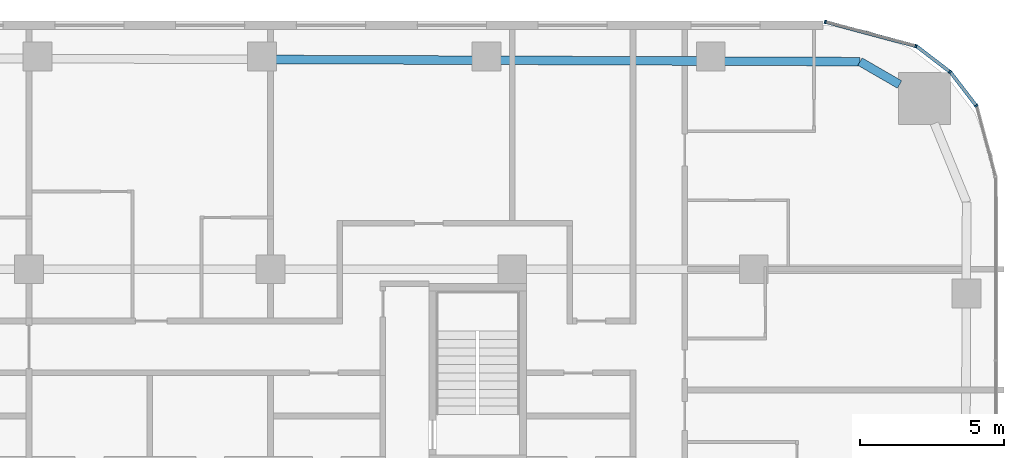
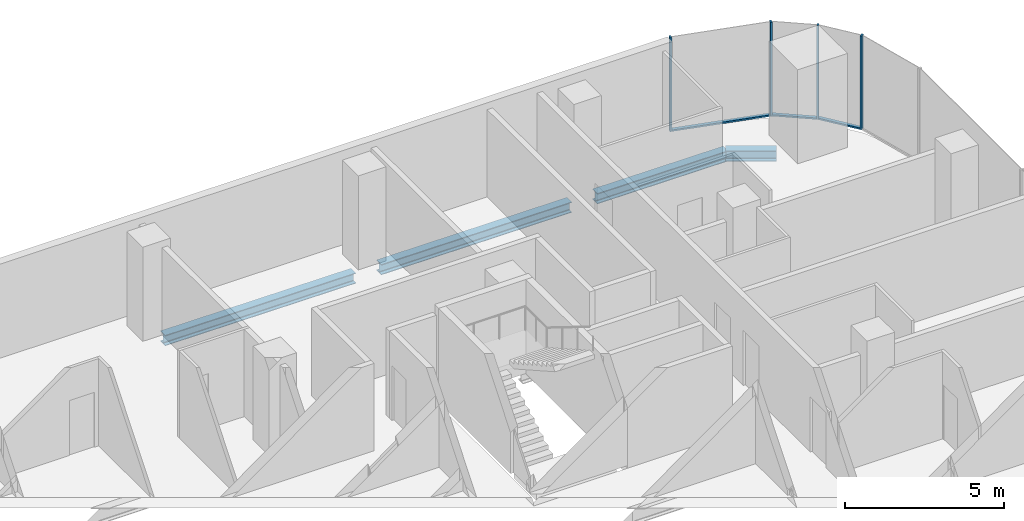
# One storey, part 13 of 26: 7 members, 4 beams, 3 elements without a shape of their own.
"""IFC4 building model written with IfcOpenShell, lengths in metres."""

from ifc_helpers import new_model, si_unit, direction, frame, origin, origin_2d, place, context, subcontext, project, spatial, rectangle, i_section, extrude, material, layer, layer_set, material_profile, profile_set, type_object, element, aggregate, save


model = new_model("IFC4")

# Units and contexts
model_context = context("Model", 3, precision=1e-05, world=origin(), true_north=direction((0.0, 1.0)))
body_context = subcontext(model_context, "Body", "Model", "MODEL_VIEW")
ifc_project = project(units=[si_unit("LENGTHUNIT", "METRE"), si_unit("AREAUNIT", "SQUARE_METRE"), si_unit("VOLUMEUNIT", "CUBIC_METRE"), si_unit("PLANEANGLEUNIT", "RADIAN"), si_unit("MASSUNIT", "GRAM", prefix="KILO")], contexts=[model_context])

# Site, building, storey
site_placement = place(None, origin())
site = spatial("IfcSite", under=ifc_project, at=site_placement, CompositionType="ELEMENT")
building_placement = place(site_placement, origin())
building = spatial("IfcBuilding", under=site, at=building_placement, Name="Marenta Gate Hotel Tower", CompositionType="ELEMENT")
storey_placement = place(building_placement, frame((0.0, 0.0, 65.300048828125)))
storey = spatial("IfcBuildingStorey", under=building, at=storey_placement, Name="L14", CompositionType="ELEMENT", Elevation=65.300048828125)

# Beams
ifc_material_1 = material(Name="Steel S355", Category="steel")
ifc_material_profile_1 = material_profile(ifc_material_1, i_section(OverallWidth=0.300048828125, OverallDepth=0.39990234375, WebThickness=0.013427734375, FlangeThickness=0.02392578125, FilletRadius=0.027099609375, at=origin_2d()), Name="HEB 400")
ifc_profile_set_1 = profile_set([ifc_material_profile_1], Name="Steel S355")
beam_type = type_object("IfcBeamType", Name="Edge beam HEB 400", PredefinedType="SPANDREL", material=ifc_profile_set_1)
for number, where, z_axis, x_axis, name in (
    (1, (4.361328125, 32.4970703125, -0.4599609375), (0.999993064268, -0.003724435008, 0.0), (0.003724435008, 0.999993064268, 0.0), "L14-EB-17"),
    (2, (12.1640625, 32.468017578125, -0.4599609375), (0.999993064268, -0.003724435008, 0.0), (0.003724435008, 0.999993064268, 0.0), "L14-EB-18"),
):
    element("IfcBeam", number, at=place(storey_placement, frame(where, z_axis=z_axis, x_axis=x_axis)), inside=storey, type_object=beam_type, Name=name, PredefinedType="SPANDREL", context=body_context, shape_type="SweptSolid", body=[
        extrude(i_section(OverallWidth=0.300048828125, OverallDepth=0.39990234375, WebThickness=0.013427734375, FlangeThickness=0.02392578125, FilletRadius=0.027099609375, at=origin_2d()), origin(), (0.0, 0.0, 1.0), 6.8828125),
    ])
beam_1_placement = place(storey_placement, frame((19.966796875, 32.43896484375, -0.4599609375), z_axis=(0.999993080272, -0.003720135464, 0.0), x_axis=(0.003720135464, 0.999993080272, 0.0)))
element("IfcBeam", 3, at=beam_1_placement, inside=storey, type_object=beam_type, Name="L14-EB-19", PredefinedType="SPANDREL", context=body_context, shape_type="SweptSolid", body=[
    extrude(i_section(OverallWidth=0.300048828125, OverallDepth=0.39990234375, WebThickness=0.013427734375, FlangeThickness=0.02392578125, FilletRadius=0.027099609375, at=origin_2d()), origin(), (0.0, 0.0, 1.0), 4.72509765625),
])
beam_2_placement = place(storey_placement, frame((24.69189453125, 32.42138671875, -0.4599609375), z_axis=(0.865968422476, -0.500098681536, 0.0), x_axis=(0.500098681536, 0.865968422476, 0.0)))
element("IfcBeam", 4, at=beam_2_placement, inside=storey, type_object=beam_type, Name="L14-EB-20", PredefinedType="SPANDREL", context=body_context, shape_type="SweptSolid", body=[
    extrude(i_section(OverallWidth=0.300048828125, OverallDepth=0.39990234375, WebThickness=0.013427734375, FlangeThickness=0.02392578125, FilletRadius=0.027099609375, at=origin_2d()), origin(), (0.0, 0.0, 1.0), 1.591552734375),
])

# Curtain wall, member
ifc_material_2 = material(Name="Tinted insulated glass in bronze anodised frame", Category="glass")
ifc_layer = layer(ifc_material_2, 0.1201171875)
ifc_layer_set = layer_set([ifc_layer], Name="Tinted insulated glass in bronze anodised frame")
curtain_wall_type = type_object("IfcCurtainWallType", Name="Tower unitised curtain wall CW1", PredefinedType="NOTDEFINED", material=ifc_layer_set)
curtain_wall_1_placement = place(storey_placement, origin())
curtain_wall_1 = element("IfcCurtainWall", 5, at=curtain_wall_1_placement, inside=storey, type_object=curtain_wall_type, Name="CW1 run G13", PredefinedType="NOTDEFINED")
ifc_material_3 = material(Name="Bronze anodised aluminium", Category="aluminium")
ifc_material_profile_2 = material_profile(ifc_material_3, rectangle(XDim=0.1201171875, YDim=0.06005859375, at=origin_2d()), Name="Mullion CW1 60x120 bronze anodised aluminium")
ifc_profile_set_2 = profile_set([ifc_material_profile_2], Name="Bronze anodised aluminium")
member_type_1 = type_object("IfcMemberType", Name="Mullion CW1 60x120 bronze anodised aluminium", PredefinedType="MULLION", material=ifc_profile_set_2)
member_1_placement = place(storey_placement, frame((28.733154296875, 30.888916015625, 0.0), z_axis=(0.0, 0.0, 1.0), x_axis=(-0.79333801153, -0.608781405318, 0.0)))
member_1 = element("IfcMember", 6, at=member_1_placement, type_object=member_type_1, Name="CW1 mullion 1", PredefinedType="MULLION", context=body_context, shape_type="SweptSolid", body=[
    extrude(rectangle(XDim=0.1201171875, YDim=0.06005859375, at=origin_2d()), origin(), (0.0, 0.0, 1.0), 3.599853515625),
])

curtain_wall_2_placement = place(storey_placement, origin())
curtain_wall_2 = element("IfcCurtainWall", 7, at=curtain_wall_2_placement, inside=storey, type_object=curtain_wall_type, Name="CW1 run G14", PredefinedType="NOTDEFINED")
member_2_placement = place(storey_placement, frame((27.82177734375, 32.063720703125, 0.0), z_axis=(0.0, 0.0, 1.0), x_axis=(-0.608781405318, -0.79333801153, 0.0)))
member_2 = element("IfcMember", 8, at=member_2_placement, type_object=member_type_1, Name="CW1 mullion 1", PredefinedType="MULLION", context=body_context, shape_type="SweptSolid", body=[
    extrude(rectangle(XDim=0.1201171875, YDim=0.06005859375, at=origin_2d()), origin(), (0.0, 0.0, 1.0), 3.599853515625),
])

# Curtain wall, members
curtain_wall_3_placement = place(storey_placement, origin())
curtain_wall_3 = element("IfcCurtainWall", 9, at=curtain_wall_3_placement, inside=storey, type_object=curtain_wall_type, Name="CW1 run G15", PredefinedType="NOTDEFINED")
member_3_placement = place(storey_placement, frame((26.63623046875, 32.958984375, 0.0), z_axis=(0.0, 0.0, 1.0), x_axis=(-0.258807310344, -0.965928970532, 0.0)))
member_3 = element("IfcMember", 10, at=member_3_placement, type_object=member_type_1, Name="CW1 mullion 1", PredefinedType="MULLION", context=body_context, shape_type="SweptSolid", body=[
    extrude(rectangle(XDim=0.1201171875, YDim=0.06005859375, at=origin_2d()), origin(), (0.0, 0.0, 1.0), 3.599853515625),
])
member_4_placement = place(storey_placement, frame((23.485595703125, 33.80322265625, 0.0), z_axis=(0.0, 0.0, 1.0), x_axis=(-0.258807310344, -0.965928970532, 0.0)))
member_4 = element("IfcMember", 11, at=member_4_placement, type_object=member_type_1, Name="CW1 mullion 2", PredefinedType="MULLION", context=body_context, shape_type="SweptSolid", body=[
    extrude(rectangle(XDim=0.1201171875, YDim=0.06005859375, at=origin_2d()), origin(), (0.0, 0.0, 1.0), 3.599853515625),
])

# Member
ifc_material_4 = material(Name="Bronze anodised aluminium", Category="aluminium")
ifc_material_profile_3 = material_profile(ifc_material_4, rectangle(XDim=0.1201171875, YDim=0.06005859375, at=origin_2d()), Name="Transom CW1 60x120 bronze anodised aluminium")
ifc_profile_set_3 = profile_set([ifc_material_profile_3], Name="Bronze anodised aluminium")
member_type_2 = type_object("IfcMemberType", Name="Transom CW1 60x120 bronze anodised aluminium", PredefinedType="USERDEFINED", material=ifc_profile_set_3)
member_5_placement = place(storey_placement, frame((28.71484375, 30.91259765625, 0.030029296875), z_axis=(-0.60882629199, 0.793303564963, 0.0), x_axis=(-0.793303564963, -0.60882629199, 0.0)))
member_5 = element("IfcMember", 12, at=member_5_placement, type_object=member_type_2, Name="CW1 transom 1.1", ObjectType="TRANSOM", PredefinedType="USERDEFINED", context=body_context, shape_type="SweptSolid", body=[
    extrude(rectangle(XDim=0.1201171875, YDim=0.06005859375, at=origin_2d()), origin(), (0.0, 0.0, 1.0), 1.427978515625),
])

aggregate(curtain_wall_1, [member_1, member_5])

member_6_placement = place(storey_placement, frame((27.7978515625, 32.08203125, 0.030029296875), z_axis=(-0.793303564963, 0.60882629199, 0.0), x_axis=(-0.60882629199, -0.793303564963, 0.0)))
member_6 = element("IfcMember", 13, at=member_6_placement, type_object=member_type_2, Name="CW1 transom 1.1", ObjectType="TRANSOM", PredefinedType="USERDEFINED", context=body_context, shape_type="SweptSolid", body=[
    extrude(rectangle(XDim=0.1201171875, YDim=0.06005859375, at=origin_2d()), origin(), (0.0, 0.0, 1.0), 1.427978515625),
])

aggregate(curtain_wall_2, [member_2, member_6])

member_7_placement = place(storey_placement, frame((26.607177734375, 32.966796875, 0.030029296875), z_axis=(-0.965933076693, 0.258791984709, 0.0), x_axis=(-0.258791984709, -0.965933076693, 0.0)))
member_7 = element("IfcMember", 14, at=member_7_placement, type_object=member_type_2, Name="CW1 transom 1.1", ObjectType="TRANSOM", PredefinedType="USERDEFINED", context=body_context, shape_type="SweptSolid", body=[
    extrude(rectangle(XDim=0.1201171875, YDim=0.06005859375, at=origin_2d()), origin(), (0.0, 0.0, 1.0), 3.201904296875),
])

aggregate(curtain_wall_3, [member_3, member_4, member_7])

save(model, "model.ifc")
